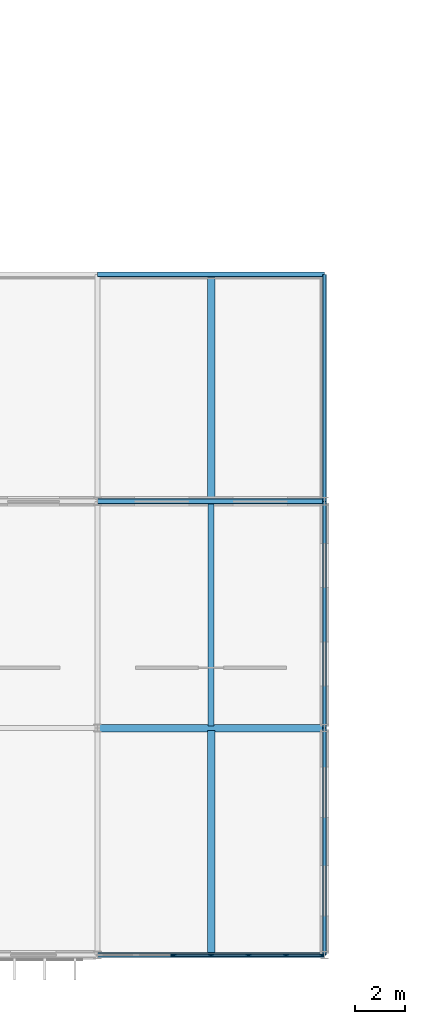
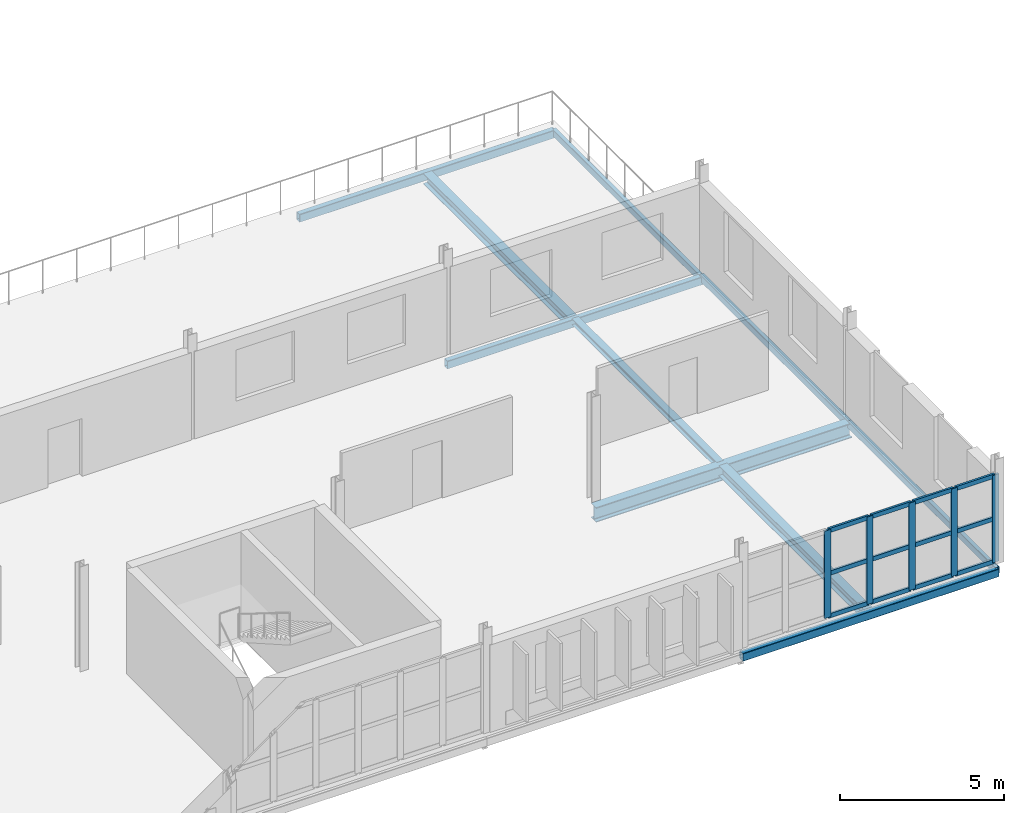
# One storey, part 60 of 123: 17 members, 10 beams, 1 element without a shape of its own.
"""IFC4 building model written with IfcOpenShell, lengths in metres."""

from ifc_helpers import new_model, si_unit, direction, frame, origin, origin_2d, place, context, subcontext, project, spatial, rectangle, hollow_rectangle, i_section, extrude, material, material_profile, profile_set, type_object, element, aggregate, save


model = new_model("IFC4")

# Units and contexts
model_context = context("Model", 3, precision=1e-05, world=origin(), true_north=direction((0.0, 1.0)))
body_context = subcontext(model_context, "Body", "Model", "MODEL_VIEW")
ifc_project = project(units=[si_unit("LENGTHUNIT", "METRE"), si_unit("AREAUNIT", "SQUARE_METRE"), si_unit("VOLUMEUNIT", "CUBIC_METRE"), si_unit("PLANEANGLEUNIT", "RADIAN"), si_unit("MASSUNIT", "GRAM", prefix="KILO")], contexts=[model_context])

# Site, building, storey
site_placement = place(None, origin())
site = spatial("IfcSite", under=ifc_project, at=site_placement, CompositionType="ELEMENT")
building_placement = place(site_placement, origin())
building = spatial("IfcBuilding", under=site, at=building_placement, Name="Kildeholm Park Wholesale Market", CompositionType="ELEMENT")
storey_placement = place(building_placement, frame((0.0, 0.0, 9.60009765625)))
storey = spatial("IfcBuildingStorey", under=building, at=storey_placement, Name="L02", CompositionType="ELEMENT", Elevation=9.60009765625)

# Beams
ifc_material_1 = material(Name="Steel S355", Category="steel")
ifc_material_profile_1 = material_profile(ifc_material_1, i_section(OverallWidth=0.300048828125, OverallDepth=0.550048828125, WebThickness=0.014892578125, FlangeThickness=0.029052734375, FilletRadius=0.027099609375, at=origin_2d()), Name="HEB 550")
ifc_profile_set_1 = profile_set([ifc_material_profile_1], Name="Steel S355")
beam_type_1 = type_object("IfcBeamType", Name="Beam B-X03 HEB 550", PredefinedType="BEAM", material=ifc_profile_set_1)
beam_1_placement = place(storey_placement, frame((189.0, 9.0, -0.51904296875), z_axis=(1.0, 0.0, 0.0), x_axis=(0.0, 1.0, 0.0)))
element("IfcBeam", 1, at=beam_1_placement, inside=storey, type_object=beam_type_1, Name="Beam BM-V5E-L02-X-189-009 BM-1676", PredefinedType="BEAM", context=body_context, shape_type="SweptSolid", body=[
    extrude(i_section(OverallWidth=0.300048828125, OverallDepth=0.550048828125, WebThickness=0.014892578125, FlangeThickness=0.029052734375, FilletRadius=0.027099609375, at=origin_2d()), origin(), (0.0, 0.0, 1.0), 9.0),
])
ifc_material_profile_2 = material_profile(ifc_material_1, i_section(OverallWidth=0.239990234375, OverallDepth=0.22998046875, WebThickness=0.007568359375, FlangeThickness=0.011962890625, FilletRadius=0.02099609375, at=origin_2d()), Name="HEA 240")
ifc_profile_set_2 = profile_set([ifc_material_profile_2], Name="Steel S355")
beam_type_2 = type_object("IfcBeamType", Name="Beam J-05 HEA 240", PredefinedType="JOIST", material=ifc_profile_set_2)
beam_2_placement = place(storey_placement, frame((193.5, 9.0849609375, -0.35498046875), z_axis=(0.0, 1.0, 0.0), x_axis=(-1.0, 0.0, 0.0)))
element("IfcBeam", 2, at=beam_2_placement, inside=storey, type_object=beam_type_2, Name="Beam JT-V5E-L02-189-009 BM-1678", PredefinedType="JOIST", context=body_context, shape_type="SweptSolid", body=[
    extrude(i_section(OverallWidth=0.239990234375, OverallDepth=0.22998046875, WebThickness=0.007568359375, FlangeThickness=0.011962890625, FilletRadius=0.02099609375, at=origin_2d()), origin(), (0.0, 0.0, 1.0), 8.830078125),
])
ifc_material_profile_3 = material_profile(ifc_material_1, i_section(OverallWidth=0.300048828125, OverallDepth=0.389892578125, WebThickness=0.010986328125, FlangeThickness=0.01904296875, FilletRadius=0.027099609375, at=origin_2d()), Name="HEA 400")
ifc_profile_set_3 = profile_set([ifc_material_profile_3], Name="Steel S355")
beam_type_3 = type_object("IfcBeamType", Name="Beam J-06 HEA 400", PredefinedType="JOIST", material=ifc_profile_set_3)
for number, where, z_axis, x_axis, name in (
    (3, (193.5, 18.0849609375, -0.485107421875), (0.0, 1.0, 0.0), (-1.0, 0.0, 0.0), "Beam JT-V5E-L02-189-018 BM-1631"),
    (4, (193.5, 0.0849609375, -0.43505859375), (0.0, 1.0, 0.0), (-1.0, 0.0, 0.0), "Beam JT-V5E-L02-189-000 BM-1675"),
):
    element("IfcBeam", number, at=place(storey_placement, frame(where, z_axis=z_axis, x_axis=x_axis)), inside=storey, type_object=beam_type_3, Name=name, PredefinedType="JOIST", context=body_context, shape_type="SweptSolid", body=[
        extrude(i_section(OverallWidth=0.300048828125, OverallDepth=0.389892578125, WebThickness=0.010986328125, FlangeThickness=0.01904296875, FilletRadius=0.027099609375, at=origin_2d()), origin(), (0.0, 0.0, 1.0), 8.830078125),
    ])
ifc_material_profile_4 = material_profile(ifc_material_1, hollow_rectangle(XDim=0.199951171875, YDim=0.300048828125, WallThickness=0.012451171875, InnerFilletRadius=0.012451171875, OuterFilletRadius=0.02490234375, at=origin_2d()), Name="RHS 300x200x12.5")
ifc_profile_set_4 = profile_set([ifc_material_profile_4], Name="Steel S355")
beam_type_4 = type_object("IfcBeamType", Name="Beam SP-01 RHS 300x200x12.5", PredefinedType="SPANDREL", material=ifc_profile_set_4)
for number, where, z_axis, x_axis, name in (
    (5, (189.0, 18.0, -0.440185546875), (1.0, 0.0, 0.0), (0.0, 1.0, 0.0), "Beam BM-V5E-L02-X-189-018 BM-1629"),
    (6, (189.0, 27.0, -0.440185546875), (1.0, 0.0, 0.0), (0.0, 1.0, 0.0), "Beam BM-V5E-L02-X-189-027 BM-1632"),
    (7, (189.0, 0.0, -0.39404296875), (1.0, 0.0, 0.0), (0.0, 1.0, 0.0), "Beam BM-V5E-L02-X-189-000 BM-1673"),
):
    element("IfcBeam", number, at=place(storey_placement, frame(where, z_axis=z_axis, x_axis=x_axis)), inside=storey, type_object=beam_type_4, Name=name, PredefinedType="SPANDREL", context=body_context, shape_type="SweptSolid", body=[
        extrude(hollow_rectangle(XDim=0.199951171875, YDim=0.300048828125, WallThickness=0.012451171875, InnerFilletRadius=0.012451171875, OuterFilletRadius=0.02490234375, at=origin_2d()), origin(), (0.0, 0.0, 1.0), 9.0),
    ])
ifc_material_profile_5 = material_profile(ifc_material_1, hollow_rectangle(XDim=0.14990234375, YDim=0.25, WallThickness=0.010009765625, InnerFilletRadius=0.010009765625, OuterFilletRadius=0.02001953125, at=origin_2d()), Name="RHS 250x150x10")
ifc_profile_set_5 = profile_set([ifc_material_profile_5], Name="Steel S355")
beam_type_5 = type_object("IfcBeamType", Name="Beam SP-02 RHS 250x150x10", PredefinedType="SPANDREL", material=ifc_profile_set_5)
for number, where, z_axis, x_axis, name in (
    (8, (198.0, 18.0, -0.4150390625), (0.0, 1.0, 0.0), (-1.0, 0.0, 0.0), "Beam BM-V5E-L02-Y-198-018 BM-1633"),
    (9, (198.0, 0.0, -0.364990234375), (0.0, 1.0, 0.0), (-1.0, 0.0, 0.0), "Beam BM-V5E-L02-Y-198-000 BM-1679"),
    (10, (198.0, 9.0, -0.364990234375), (0.0, 1.0, 0.0), (-1.0, 0.0, 0.0), "Beam BM-V5E-L02-Y-198-009 BM-1680"),
):
    element("IfcBeam", number, at=place(storey_placement, frame(where, z_axis=z_axis, x_axis=x_axis)), inside=storey, type_object=beam_type_5, Name=name, PredefinedType="SPANDREL", context=body_context, shape_type="SweptSolid", body=[
        extrude(hollow_rectangle(XDim=0.14990234375, YDim=0.25, WallThickness=0.010009765625, InnerFilletRadius=0.010009765625, OuterFilletRadius=0.02001953125, at=origin_2d()), origin(), (0.0, 0.0, 1.0), 9.0),
    ])

# Curtain wall, members
ifc_material_2 = material(Name="Anodised aluminium and low-E double-glazed glass", Category="aluminium")
curtain_wall_type = type_object("IfcCurtainWallType", Name="Park wing thermally broken curtain wall CW-03", PredefinedType="NOTDEFINED", material=ifc_material_2)
curtain_wall_placement = place(storey_placement, origin())
curtain_wall = element("IfcCurtainWall", 11, at=curtain_wall_placement, inside=storey, type_object=curtain_wall_type, Name="Curtain wall CW-V5E-L02-S-08 CW-0158", PredefinedType="NOTDEFINED")
ifc_material_3 = material(Name="Anodised aluminium", Category="aluminium")
ifc_material_profile_6 = material_profile(ifc_material_3, rectangle(XDim=0.074951171875, YDim=0.219970703125, at=origin_2d()), Name="CWM 75x220")
ifc_profile_set_6 = profile_set([ifc_material_profile_6], Name="Anodised aluminium")
member_type_1 = type_object("IfcMemberType", Name="Curtain-wall mullion CWM-2 CWM 75x220", PredefinedType="MULLION", material=ifc_profile_set_6)
member_1_placement = place(storey_placement, frame((192.013427734375, 0.0, 0.0), z_axis=(0.0, 0.0, 1.0), x_axis=(0.0, 1.0, 0.0)))
member_1 = element("IfcMember", 12, at=member_1_placement, type_object=member_type_1, Name="CW-03 mullion 3 MEM-4817", PredefinedType="MULLION", context=body_context, shape_type="SweptSolid", body=[
    extrude(rectangle(XDim=0.074951171875, YDim=0.219970703125, at=origin_2d()), origin(), (0.0, 0.0, 1.0), 3.25),
])
member_2_placement = place(storey_placement, frame((193.5, 0.0, 0.0), z_axis=(0.0, 0.0, 1.0), x_axis=(0.0, 1.0, 0.0)))
member_2 = element("IfcMember", 13, at=member_2_placement, type_object=member_type_1, Name="CW-03 mullion 4 MEM-4818", PredefinedType="MULLION", context=body_context, shape_type="SweptSolid", body=[
    extrude(rectangle(XDim=0.074951171875, YDim=0.219970703125, at=origin_2d()), origin(), (0.0, 0.0, 1.0), 3.25),
])
member_3_placement = place(storey_placement, frame((194.986572265625, 0.0, 0.0), z_axis=(0.0, 0.0, 1.0), x_axis=(0.0, 1.0, 0.0)))
member_3 = element("IfcMember", 14, at=member_3_placement, type_object=member_type_1, Name="CW-03 mullion 5 MEM-4819", PredefinedType="MULLION", context=body_context, shape_type="SweptSolid", body=[
    extrude(rectangle(XDim=0.074951171875, YDim=0.219970703125, at=origin_2d()), origin(), (0.0, 0.0, 1.0), 3.25),
])
member_4_placement = place(storey_placement, frame((196.473388671875, 0.0, 0.0), z_axis=(0.0, 0.0, 1.0), x_axis=(0.0, 1.0, 0.0)))
member_4 = element("IfcMember", 15, at=member_4_placement, type_object=member_type_1, Name="CW-03 mullion 6 MEM-4820", PredefinedType="MULLION", context=body_context, shape_type="SweptSolid", body=[
    extrude(rectangle(XDim=0.074951171875, YDim=0.219970703125, at=origin_2d()), origin(), (0.0, 0.0, 1.0), 3.25),
])
member_5_placement = place(storey_placement, frame((197.922607421875, 0.0, 0.0), z_axis=(0.0, 0.0, 1.0), x_axis=(0.0, 1.0, 0.0)))
member_5 = element("IfcMember", 16, at=member_5_placement, type_object=member_type_1, Name="CW-03 mullion 7 MEM-4821", PredefinedType="MULLION", context=body_context, shape_type="SweptSolid", body=[
    extrude(rectangle(XDim=0.074951171875, YDim=0.219970703125, at=origin_2d()), origin(), (0.0, 0.0, 1.0), 3.25),
])
ifc_material_profile_7 = material_profile(ifc_material_3, rectangle(XDim=0.074951171875, YDim=0.159912109375, at=origin_2d()), Name="CWT 75x160")
ifc_profile_set_7 = profile_set([ifc_material_profile_7], Name="Anodised aluminium")
member_type_2 = type_object("IfcMemberType", Name="Curtain-wall transom CWT-2 CWT 75x160", PredefinedType="USERDEFINED", material=ifc_profile_set_7)
member_6_placement = place(storey_placement, frame((192.05078125, 0.0, 0.037353515625), z_axis=(1.0, 0.0, 0.0), x_axis=(0.0, 1.0, 0.0)))
member_6 = element("IfcMember", 17, at=member_6_placement, type_object=member_type_2, Name="CW-03 transom 3.1 MEM-4828", ObjectType="TRANSOM", PredefinedType="USERDEFINED", context=body_context, shape_type="SweptSolid", body=[
    extrude(rectangle(XDim=0.074951171875, YDim=0.159912109375, at=origin_2d()), origin(), (0.0, 0.0, 1.0), 1.41162109375),
])
member_7_placement = place(storey_placement, frame((192.05078125, 0.0, 1.625), z_axis=(1.0, 0.0, 0.0), x_axis=(0.0, 1.0, 0.0)))
member_7 = element("IfcMember", 18, at=member_7_placement, type_object=member_type_2, Name="CW-03 transom 3.2 MEM-4829", ObjectType="TRANSOM", PredefinedType="USERDEFINED", context=body_context, shape_type="SweptSolid", body=[
    extrude(rectangle(XDim=0.074951171875, YDim=0.159912109375, at=origin_2d()), origin(), (0.0, 0.0, 1.0), 1.41162109375),
])
member_8_placement = place(storey_placement, frame((192.05078125, 0.0, 3.21240234375), z_axis=(1.0, 0.0, 0.0), x_axis=(0.0, 1.0, 0.0)))
member_8 = element("IfcMember", 19, at=member_8_placement, type_object=member_type_2, Name="CW-03 transom 3.3 MEM-4830", ObjectType="TRANSOM", PredefinedType="USERDEFINED", context=body_context, shape_type="SweptSolid", body=[
    extrude(rectangle(XDim=0.074951171875, YDim=0.159912109375, at=origin_2d()), origin(), (0.0, 0.0, 1.0), 1.41162109375),
])
member_9_placement = place(storey_placement, frame((193.53759765625, 0.0, 0.037353515625), z_axis=(1.0, 0.0, 0.0), x_axis=(0.0, 1.0, 0.0)))
member_9 = element("IfcMember", 20, at=member_9_placement, type_object=member_type_2, Name="CW-03 transom 4.1 MEM-4831", ObjectType="TRANSOM", PredefinedType="USERDEFINED", context=body_context, shape_type="SweptSolid", body=[
    extrude(rectangle(XDim=0.074951171875, YDim=0.159912109375, at=origin_2d()), origin(), (0.0, 0.0, 1.0), 1.41162109375),
])
member_10_placement = place(storey_placement, frame((193.53759765625, 0.0, 1.625), z_axis=(1.0, 0.0, 0.0), x_axis=(0.0, 1.0, 0.0)))
member_10 = element("IfcMember", 21, at=member_10_placement, type_object=member_type_2, Name="CW-03 transom 4.2 MEM-4832", ObjectType="TRANSOM", PredefinedType="USERDEFINED", context=body_context, shape_type="SweptSolid", body=[
    extrude(rectangle(XDim=0.074951171875, YDim=0.159912109375, at=origin_2d()), origin(), (0.0, 0.0, 1.0), 1.41162109375),
])
member_11_placement = place(storey_placement, frame((193.53759765625, 0.0, 3.21240234375), z_axis=(1.0, 0.0, 0.0), x_axis=(0.0, 1.0, 0.0)))
member_11 = element("IfcMember", 22, at=member_11_placement, type_object=member_type_2, Name="CW-03 transom 4.3 MEM-4833", ObjectType="TRANSOM", PredefinedType="USERDEFINED", context=body_context, shape_type="SweptSolid", body=[
    extrude(rectangle(XDim=0.074951171875, YDim=0.159912109375, at=origin_2d()), origin(), (0.0, 0.0, 1.0), 1.41162109375),
])
member_12_placement = place(storey_placement, frame((195.024169921875, 0.0, 0.037353515625), z_axis=(1.0, 0.0, 0.0), x_axis=(0.0, 1.0, 0.0)))
member_12 = element("IfcMember", 23, at=member_12_placement, type_object=member_type_2, Name="CW-03 transom 5.1 MEM-4834", ObjectType="TRANSOM", PredefinedType="USERDEFINED", context=body_context, shape_type="SweptSolid", body=[
    extrude(rectangle(XDim=0.074951171875, YDim=0.159912109375, at=origin_2d()), origin(), (0.0, 0.0, 1.0), 1.41162109375),
])
member_13_placement = place(storey_placement, frame((195.024169921875, 0.0, 1.625), z_axis=(1.0, 0.0, 0.0), x_axis=(0.0, 1.0, 0.0)))
member_13 = element("IfcMember", 24, at=member_13_placement, type_object=member_type_2, Name="CW-03 transom 5.2 MEM-4835", ObjectType="TRANSOM", PredefinedType="USERDEFINED", context=body_context, shape_type="SweptSolid", body=[
    extrude(rectangle(XDim=0.074951171875, YDim=0.159912109375, at=origin_2d()), origin(), (0.0, 0.0, 1.0), 1.41162109375),
])
member_14_placement = place(storey_placement, frame((195.024169921875, 0.0, 3.21240234375), z_axis=(1.0, 0.0, 0.0), x_axis=(0.0, 1.0, 0.0)))
member_14 = element("IfcMember", 25, at=member_14_placement, type_object=member_type_2, Name="CW-03 transom 5.3 MEM-4836", ObjectType="TRANSOM", PredefinedType="USERDEFINED", context=body_context, shape_type="SweptSolid", body=[
    extrude(rectangle(XDim=0.074951171875, YDim=0.159912109375, at=origin_2d()), origin(), (0.0, 0.0, 1.0), 1.41162109375),
])
member_15_placement = place(storey_placement, frame((196.5107421875, 0.0, 0.037353515625), z_axis=(1.0, 0.0, 0.0), x_axis=(0.0, 1.0, 0.0)))
member_15 = element("IfcMember", 26, at=member_15_placement, type_object=member_type_2, Name="CW-03 transom 6.1 MEM-4837", ObjectType="TRANSOM", PredefinedType="USERDEFINED", context=body_context, shape_type="SweptSolid", body=[
    extrude(rectangle(XDim=0.074951171875, YDim=0.159912109375, at=origin_2d()), origin(), (0.0, 0.0, 1.0), 1.374267578125),
])
member_16_placement = place(storey_placement, frame((196.5107421875, 0.0, 1.625), z_axis=(1.0, 0.0, 0.0), x_axis=(0.0, 1.0, 0.0)))
member_16 = element("IfcMember", 27, at=member_16_placement, type_object=member_type_2, Name="CW-03 transom 6.2 MEM-4838", ObjectType="TRANSOM", PredefinedType="USERDEFINED", context=body_context, shape_type="SweptSolid", body=[
    extrude(rectangle(XDim=0.074951171875, YDim=0.159912109375, at=origin_2d()), origin(), (0.0, 0.0, 1.0), 1.374267578125),
])
member_17_placement = place(storey_placement, frame((196.5107421875, 0.0, 3.21240234375), z_axis=(1.0, 0.0, 0.0), x_axis=(0.0, 1.0, 0.0)))
member_17 = element("IfcMember", 28, at=member_17_placement, type_object=member_type_2, Name="CW-03 transom 6.3 MEM-4839", ObjectType="TRANSOM", PredefinedType="USERDEFINED", context=body_context, shape_type="SweptSolid", body=[
    extrude(rectangle(XDim=0.074951171875, YDim=0.159912109375, at=origin_2d()), origin(), (0.0, 0.0, 1.0), 1.374267578125),
])
aggregate(curtain_wall, [member_1, member_2, member_3, member_4, member_5, member_6, member_7, member_8, member_9, member_10, member_11, member_12, member_13, member_14, member_15, member_16, member_17])

save(model, "model.ifc")
